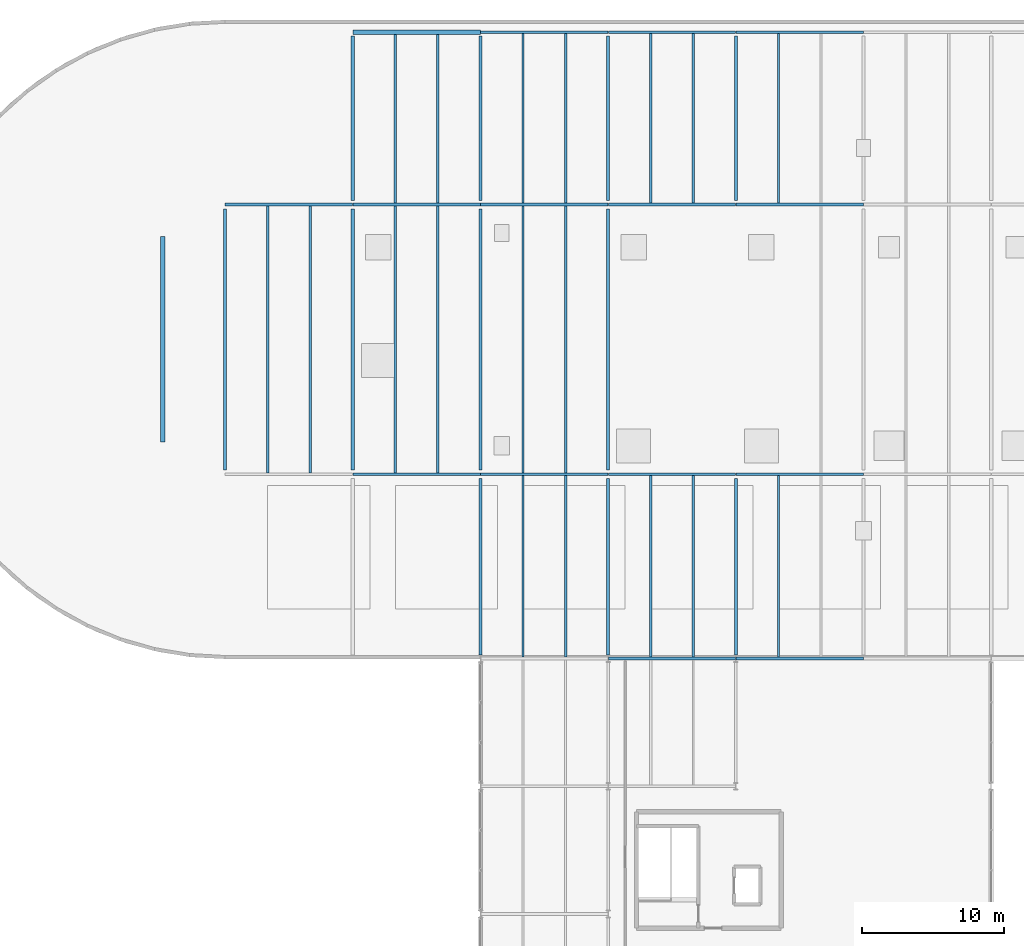
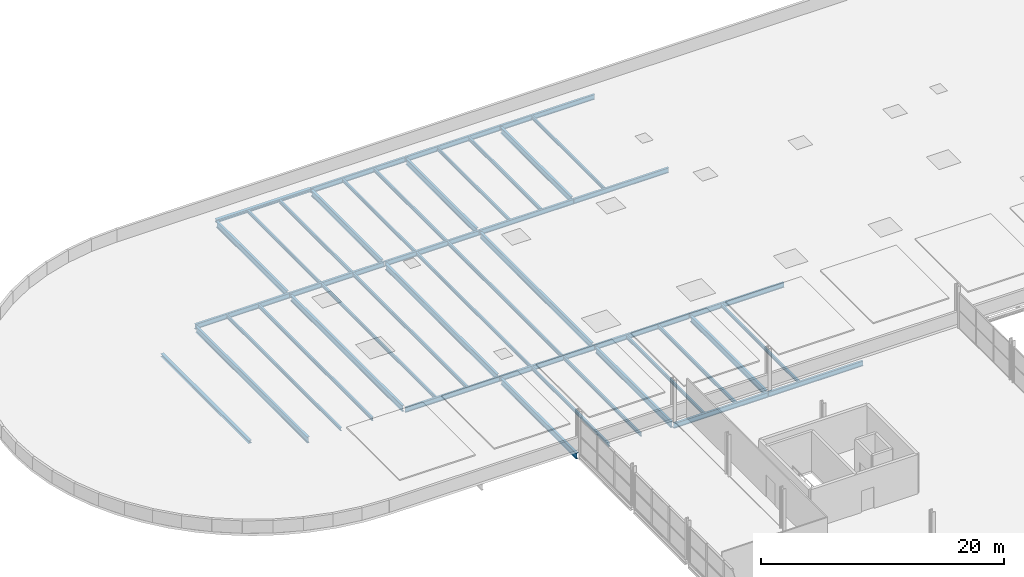
# One storey, part 22 of 59: 45 beams.
"""IFC4 building model written with IfcOpenShell, lengths in metres."""

from ifc_helpers import new_model, si_unit, direction, frame, origin, origin_2d, place, context, subcontext, project, spatial, i_section, extrude, material, material_profile, profile_set, type_object, element, save


model = new_model("IFC4")

# Units and contexts
model_context = context("Model", 3, precision=1e-05, world=origin(), true_north=direction((0.0, 1.0)))
body_context = subcontext(model_context, "Body", "Model", "MODEL_VIEW")
ifc_project = project(units=[si_unit("LENGTHUNIT", "METRE"), si_unit("AREAUNIT", "SQUARE_METRE"), si_unit("VOLUMEUNIT", "CUBIC_METRE"), si_unit("PLANEANGLEUNIT", "RADIAN"), si_unit("MASSUNIT", "GRAM", prefix="KILO")], contexts=[model_context])

# Site, building, storey
site_placement = place(None, origin())
site = spatial("IfcSite", under=ifc_project, at=site_placement, CompositionType="ELEMENT")
building_placement = place(site_placement, origin())
building = spatial("IfcBuilding", under=site, at=building_placement, Name="Deido Ridge Mobility Hub", CompositionType="ELEMENT")
storey_placement = place(building_placement, frame((0.0, 0.0, 21.0)))
storey = spatial("IfcBuildingStorey", under=building, at=storey_placement, Name="L05", CompositionType="ELEMENT", Elevation=21.0)

# Beams
ifc_material = material(Name="Steel S355J2 EN 10025-2", Category="steel")
ifc_material_profile_1 = material_profile(ifc_material, i_section(OverallWidth=0.199951171875, OverallDepth=0.5, WebThickness=0.01025390625, FlangeThickness=0.01611328125, FilletRadius=0.02099609375, at=origin_2d()), Name="IPE 500")
ifc_profile_set_1 = profile_set([ifc_material_profile_1], Name="Steel S355J2 EN 10025-2")
beam_type_1 = type_object("IfcBeamType", Name="BM-IPE500", PredefinedType="BEAM", material=ifc_profile_set_1)
for number, where, z_axis, x_axis, name in (
    (1, (72.007080078125, 81.0, -0.4951171875), (1.0, 0.0, 0.0), (0.0, 1.0, 0.0), "Floor beam B3"),
    (2, (81.007080078125, 81.0, -0.4951171875), (1.0, 0.0, 0.0), (0.0, 1.0, 0.0), "Floor beam B3"),
):
    element("IfcBeam", number, at=place(storey_placement, frame(where, z_axis=z_axis, x_axis=x_axis)), inside=storey, type_object=beam_type_1, Name=name, PredefinedType="BEAM", context=body_context, shape_type="SweptSolid", body=[
        extrude(i_section(OverallWidth=0.199951171875, OverallDepth=0.5, WebThickness=0.01025390625, FlangeThickness=0.01611328125, FilletRadius=0.02099609375, at=origin_2d()), origin(), (0.0, 0.0, 1.0), 8.98583984375),
    ])
for number, where, z_axis, x_axis, name in (
    (3, (54.0078125, 94.0, -0.4951171875), (1.0, 0.0, 0.0), (0.0, 1.0, 0.0), "Floor beam B3"),
    (4, (63.0078125, 94.0, -0.4951171875), (1.0, 0.0, 0.0), (0.0, 1.0, 0.0), "Floor beam B3"),
    (5, (72.0078125, 94.0, -0.4951171875), (1.0, 0.0, 0.0), (0.0, 1.0, 0.0), "Floor beam B3"),
    (6, (81.0078125, 94.0, -0.4951171875), (1.0, 0.0, 0.0), (0.0, 1.0, 0.0), "Floor beam B3"),
    (7, (45.0078125, 113.0, -0.4951171875), (1.0, 0.0, 0.0), (0.0, 1.0, 0.0), "Floor beam B3"),
    (8, (54.0078125, 113.0, -0.4951171875), (1.0, 0.0, 0.0), (0.0, 1.0, 0.0), "Floor beam B3"),
    (9, (63.0078125, 113.0, -0.4951171875), (1.0, 0.0, 0.0), (0.0, 1.0, 0.0), "Floor beam B3"),
    (10, (72.0078125, 113.0, -0.4951171875), (1.0, 0.0, 0.0), (0.0, 1.0, 0.0), "Floor beam B3"),
    (11, (81.0078125, 113.0, -0.4951171875), (1.0, 0.0, 0.0), (0.0, 1.0, 0.0), "Floor beam B3"),
):
    element("IfcBeam", number, at=place(storey_placement, frame(where, z_axis=z_axis, x_axis=x_axis)), inside=storey, type_object=beam_type_1, Name=name, PredefinedType="BEAM", context=body_context, shape_type="SweptSolid", body=[
        extrude(i_section(OverallWidth=0.199951171875, OverallDepth=0.5, WebThickness=0.01025390625, FlangeThickness=0.01611328125, FilletRadius=0.02099609375, at=origin_2d()), origin(), (0.0, 0.0, 1.0), 8.984375),
    ])
for number, where, z_axis, x_axis, name in (
    (12, (63.007080078125, 125.14990234375, -0.4951171875), (1.0, 0.0, 0.0), (0.0, 1.0, 0.0), "Floor beam B3"),
    (13, (72.007080078125, 125.14990234375, -0.4951171875), (1.0, 0.0, 0.0), (0.0, 1.0, 0.0), "Floor beam B3"),
    (14, (81.007080078125, 125.14990234375, -0.4951171875), (1.0, 0.0, 0.0), (0.0, 1.0, 0.0), "Floor beam B3"),
):
    element("IfcBeam", number, at=place(storey_placement, frame(where, z_axis=z_axis, x_axis=x_axis)), inside=storey, type_object=beam_type_1, Name=name, PredefinedType="BEAM", context=body_context, shape_type="SweptSolid", body=[
        extrude(i_section(OverallWidth=0.199951171875, OverallDepth=0.5, WebThickness=0.01025390625, FlangeThickness=0.01611328125, FilletRadius=0.02099609375, at=origin_2d()), origin(), (0.0, 0.0, 1.0), 8.98583984375),
    ])
ifc_material_profile_2 = material_profile(ifc_material, i_section(OverallWidth=0.219970703125, OverallDepth=0.60009765625, WebThickness=0.011962890625, FlangeThickness=0.01904296875, FilletRadius=0.02392578125, at=origin_2d()), Name="IPE 600")
ifc_profile_set_2 = profile_set([ifc_material_profile_2], Name="Steel S355J2 EN 10025-2")
beam_type_2 = type_object("IfcBeamType", Name="BM-IPE600", PredefinedType="BEAM", material=ifc_profile_set_2)
for number, where, z_axis, x_axis, name in (
    (15, (45.0, 94.300048828125, -0.544921875), (0.0, 1.0, 0.0), (-1.0, 0.0, 0.0), "Floor beam B1"),
    (16, (54.0, 94.300048828125, -0.544921875), (0.0, 1.0, 0.0), (-1.0, 0.0, 0.0), "Floor beam B1"),
):
    element("IfcBeam", number, at=place(storey_placement, frame(where, z_axis=z_axis, x_axis=x_axis)), inside=storey, type_object=beam_type_2, Name=name, PredefinedType="BEAM", context=body_context, shape_type="SweptSolid", body=[
        extrude(i_section(OverallWidth=0.219970703125, OverallDepth=0.60009765625, WebThickness=0.011962890625, FlangeThickness=0.01904296875, FilletRadius=0.02392578125, at=origin_2d()), origin(), (0.0, 0.0, 1.0), 18.39990234375),
    ])
beam_1_placement = place(storey_placement, frame((54.0, 113.300048828125, -0.544921875), z_axis=(0.0, 1.0, 0.0), x_axis=(-1.0, 0.0, 0.0)))
element("IfcBeam", 17, at=beam_1_placement, inside=storey, type_object=beam_type_2, Name="Floor beam B1", PredefinedType="BEAM", context=body_context, shape_type="SweptSolid", body=[
    extrude(i_section(OverallWidth=0.219970703125, OverallDepth=0.60009765625, WebThickness=0.011962890625, FlangeThickness=0.01904296875, FilletRadius=0.02392578125, at=origin_2d()), origin(), (0.0, 0.0, 1.0), 11.599853515625),
])
beam_2_placement = place(storey_placement, frame((63.0, 81.25, -0.544921875), z_axis=(0.0, 1.0, 0.0), x_axis=(-1.0, 0.0, 0.0)))
element("IfcBeam", 18, at=beam_2_placement, inside=storey, type_object=beam_type_2, Name="Floor beam B1", PredefinedType="BEAM", context=body_context, shape_type="SweptSolid", body=[
    extrude(i_section(OverallWidth=0.219970703125, OverallDepth=0.60009765625, WebThickness=0.011962890625, FlangeThickness=0.01904296875, FilletRadius=0.02392578125, at=origin_2d()), origin(), (0.0, 0.0, 1.0), 12.449951171875),
])
beam_3_placement = place(storey_placement, frame((63.0, 94.300048828125, -0.544921875), z_axis=(0.0, 1.0, 0.0), x_axis=(-1.0, 0.0, 0.0)))
element("IfcBeam", 19, at=beam_3_placement, inside=storey, type_object=beam_type_2, Name="Floor beam B1", PredefinedType="BEAM", context=body_context, shape_type="SweptSolid", body=[
    extrude(i_section(OverallWidth=0.219970703125, OverallDepth=0.60009765625, WebThickness=0.011962890625, FlangeThickness=0.01904296875, FilletRadius=0.02392578125, at=origin_2d()), origin(), (0.0, 0.0, 1.0), 18.39990234375),
])
beam_4_placement = place(storey_placement, frame((63.0, 113.300048828125, -0.544921875), z_axis=(0.0, 1.0, 0.0), x_axis=(-1.0, 0.0, 0.0)))
element("IfcBeam", 20, at=beam_4_placement, inside=storey, type_object=beam_type_2, Name="Floor beam B1", PredefinedType="BEAM", context=body_context, shape_type="SweptSolid", body=[
    extrude(i_section(OverallWidth=0.219970703125, OverallDepth=0.60009765625, WebThickness=0.011962890625, FlangeThickness=0.01904296875, FilletRadius=0.02392578125, at=origin_2d()), origin(), (0.0, 0.0, 1.0), 11.599853515625),
])
beam_5_placement = place(storey_placement, frame((72.0, 81.25, -0.544921875), z_axis=(0.0, 1.0, 0.0), x_axis=(-1.0, 0.0, 0.0)))
element("IfcBeam", 21, at=beam_5_placement, inside=storey, type_object=beam_type_2, Name="Floor beam B1", PredefinedType="BEAM", context=body_context, shape_type="SweptSolid", body=[
    extrude(i_section(OverallWidth=0.219970703125, OverallDepth=0.60009765625, WebThickness=0.011962890625, FlangeThickness=0.01904296875, FilletRadius=0.02392578125, at=origin_2d()), origin(), (0.0, 0.0, 1.0), 12.449951171875),
])
beam_6_placement = place(storey_placement, frame((72.0, 94.300048828125, -0.544921875), z_axis=(0.0, 1.0, 0.0), x_axis=(-1.0, 0.0, 0.0)))
element("IfcBeam", 22, at=beam_6_placement, inside=storey, type_object=beam_type_2, Name="Floor beam B1", PredefinedType="BEAM", context=body_context, shape_type="SweptSolid", body=[
    extrude(i_section(OverallWidth=0.219970703125, OverallDepth=0.60009765625, WebThickness=0.011962890625, FlangeThickness=0.01904296875, FilletRadius=0.02392578125, at=origin_2d()), origin(), (0.0, 0.0, 1.0), 18.39990234375),
])
beam_7_placement = place(storey_placement, frame((72.0, 113.300048828125, -0.544921875), z_axis=(0.0, 1.0, 0.0), x_axis=(-1.0, 0.0, 0.0)))
element("IfcBeam", 23, at=beam_7_placement, inside=storey, type_object=beam_type_2, Name="Floor beam B1", PredefinedType="BEAM", context=body_context, shape_type="SweptSolid", body=[
    extrude(i_section(OverallWidth=0.219970703125, OverallDepth=0.60009765625, WebThickness=0.011962890625, FlangeThickness=0.01904296875, FilletRadius=0.02392578125, at=origin_2d()), origin(), (0.0, 0.0, 1.0), 11.599853515625),
])
beam_8_placement = place(storey_placement, frame((81.0, 81.25, -0.544921875), z_axis=(0.0, 1.0, 0.0), x_axis=(-1.0, 0.0, 0.0)))
element("IfcBeam", 24, at=beam_8_placement, inside=storey, type_object=beam_type_2, Name="Floor beam B1", PredefinedType="BEAM", context=body_context, shape_type="SweptSolid", body=[
    extrude(i_section(OverallWidth=0.219970703125, OverallDepth=0.60009765625, WebThickness=0.011962890625, FlangeThickness=0.01904296875, FilletRadius=0.02392578125, at=origin_2d()), origin(), (0.0, 0.0, 1.0), 12.449951171875),
])
beam_9_placement = place(storey_placement, frame((81.0, 113.300048828125, -0.544921875), z_axis=(0.0, 1.0, 0.0), x_axis=(-1.0, 0.0, 0.0)))
element("IfcBeam", 25, at=beam_9_placement, inside=storey, type_object=beam_type_2, Name="Floor beam B1", PredefinedType="BEAM", context=body_context, shape_type="SweptSolid", body=[
    extrude(i_section(OverallWidth=0.219970703125, OverallDepth=0.60009765625, WebThickness=0.011962890625, FlangeThickness=0.01904296875, FilletRadius=0.02392578125, at=origin_2d()), origin(), (0.0, 0.0, 1.0), 11.599853515625),
])
ifc_material_profile_3 = material_profile(ifc_material, i_section(OverallWidth=0.159912109375, OverallDepth=0.330078125, WebThickness=0.007568359375, FlangeThickness=0.011474609375, FilletRadius=0.01806640625, at=origin_2d()), Name="IPE 330")
ifc_profile_set_3 = profile_set([ifc_material_profile_3], Name="Steel S355J2 EN 10025-2")
beam_type_3 = type_object("IfcBeamType", Name="JST-IPE330", PredefinedType="JOIST", material=ifc_profile_set_3)
for number, where, z_axis, x_axis, name in (
    (26, (66.0, 81.10009765625, -0.409912109375), (0.0, 1.0, 0.0), (-1.0, 0.0, 0.0), "Composite joist J2"),
    (27, (75.0, 81.10009765625, -0.409912109375), (0.0, 1.0, 0.0), (-1.0, 0.0, 0.0), "Composite joist J2"),
    (28, (84.0, 81.10009765625, -0.409912109375), (0.0, 1.0, 0.0), (-1.0, 0.0, 0.0), "Composite joist J2"),
):
    element("IfcBeam", number, at=place(storey_placement, frame(where, z_axis=z_axis, x_axis=x_axis)), inside=storey, type_object=beam_type_3, Name=name, PredefinedType="JOIST", context=body_context, shape_type="SweptSolid", body=[
        extrude(i_section(OverallWidth=0.159912109375, OverallDepth=0.330078125, WebThickness=0.007568359375, FlangeThickness=0.011474609375, FilletRadius=0.01806640625, at=origin_2d()), origin(), (0.0, 0.0, 1.0), 12.7998046875),
    ])
for number, where, z_axis, x_axis, name in (
    (29, (48.0, 94.10009765625, -0.409912109375), (0.0, 1.0, 0.0), (-1.0, 0.0, 0.0), "Composite joist J2"),
    (30, (57.0, 94.10009765625, -0.409912109375), (0.0, 1.0, 0.0), (-1.0, 0.0, 0.0), "Composite joist J2"),
    (31, (66.0, 94.10009765625, -0.409912109375), (0.0, 1.0, 0.0), (-1.0, 0.0, 0.0), "Composite joist J2"),
):
    element("IfcBeam", number, at=place(storey_placement, frame(where, z_axis=z_axis, x_axis=x_axis)), inside=storey, type_object=beam_type_3, Name=name, PredefinedType="JOIST", context=body_context, shape_type="SweptSolid", body=[
        extrude(i_section(OverallWidth=0.159912109375, OverallDepth=0.330078125, WebThickness=0.007568359375, FlangeThickness=0.011474609375, FilletRadius=0.01806640625, at=origin_2d()), origin(), (0.0, 0.0, 1.0), 18.7998046875),
    ])
beam_10_placement = place(storey_placement, frame((57.0, 113.10009765625, -0.409912109375), z_axis=(0.0, 1.0, 0.0), x_axis=(-1.0, 0.0, 0.0)))
element("IfcBeam", 32, at=beam_10_placement, inside=storey, type_object=beam_type_3, Name="Composite joist J2", PredefinedType="JOIST", context=body_context, shape_type="SweptSolid", body=[
    extrude(i_section(OverallWidth=0.159912109375, OverallDepth=0.330078125, WebThickness=0.007568359375, FlangeThickness=0.011474609375, FilletRadius=0.01806640625, at=origin_2d()), origin(), (0.0, 0.0, 1.0), 11.89990234375),
])
for number, where, z_axis, x_axis, name in (
    (33, (66.0, 113.10009765625, -0.409912109375), (0.0, 1.0, 0.0), (-1.0, 0.0, 0.0), "Composite joist J2"),
    (34, (75.0, 113.10009765625, -0.409912109375), (0.0, 1.0, 0.0), (-1.0, 0.0, 0.0), "Composite joist J2"),
    (35, (84.0, 113.10009765625, -0.409912109375), (0.0, 1.0, 0.0), (-1.0, 0.0, 0.0), "Composite joist J2"),
):
    element("IfcBeam", number, at=place(storey_placement, frame(where, z_axis=z_axis, x_axis=x_axis)), inside=storey, type_object=beam_type_3, Name=name, PredefinedType="JOIST", context=body_context, shape_type="SweptSolid", body=[
        extrude(i_section(OverallWidth=0.159912109375, OverallDepth=0.330078125, WebThickness=0.007568359375, FlangeThickness=0.011474609375, FilletRadius=0.01806640625, at=origin_2d()), origin(), (0.0, 0.0, 1.0), 11.949951171875),
    ])
ifc_material_profile_4 = material_profile(ifc_material, i_section(OverallWidth=0.169921875, OverallDepth=0.360107421875, WebThickness=0.008056640625, FlangeThickness=0.0126953125, FilletRadius=0.01806640625, at=origin_2d()), Name="IPE 360")
ifc_profile_set_4 = profile_set([ifc_material_profile_4], Name="Steel S355J2 EN 10025-2")
beam_type_4 = type_object("IfcBeamType", Name="JST-IPE360", PredefinedType="JOIST", material=ifc_profile_set_4)
for number, where, z_axis, x_axis, name in (
    (36, (69.0, 81.10009765625, -0.425048828125), (0.0, 1.0, 0.0), (-1.0, 0.0, 0.0), "Composite joist J1"),
    (37, (78.0, 81.10009765625, -0.425048828125), (0.0, 1.0, 0.0), (-1.0, 0.0, 0.0), "Composite joist J1"),
):
    element("IfcBeam", number, at=place(storey_placement, frame(where, z_axis=z_axis, x_axis=x_axis)), inside=storey, type_object=beam_type_4, Name=name, PredefinedType="JOIST", context=body_context, shape_type="SweptSolid", body=[
        extrude(i_section(OverallWidth=0.169921875, OverallDepth=0.360107421875, WebThickness=0.008056640625, FlangeThickness=0.0126953125, FilletRadius=0.01806640625, at=origin_2d()), origin(), (0.0, 0.0, 1.0), 12.7998046875),
    ])
for number, where, z_axis, x_axis, name in (
    (38, (51.0, 94.10009765625, -0.425048828125), (0.0, 1.0, 0.0), (-1.0, 0.0, 0.0), "Composite joist J1"),
    (39, (60.0, 94.10009765625, -0.425048828125), (0.0, 1.0, 0.0), (-1.0, 0.0, 0.0), "Composite joist J1"),
    (40, (69.0, 94.10009765625, -0.425048828125), (0.0, 1.0, 0.0), (-1.0, 0.0, 0.0), "Composite joist J1"),
):
    element("IfcBeam", number, at=place(storey_placement, frame(where, z_axis=z_axis, x_axis=x_axis)), inside=storey, type_object=beam_type_4, Name=name, PredefinedType="JOIST", context=body_context, shape_type="SweptSolid", body=[
        extrude(i_section(OverallWidth=0.169921875, OverallDepth=0.360107421875, WebThickness=0.008056640625, FlangeThickness=0.0126953125, FilletRadius=0.01806640625, at=origin_2d()), origin(), (0.0, 0.0, 1.0), 18.7998046875),
    ])
beam_11_placement = place(storey_placement, frame((60.0, 113.10009765625, -0.425048828125), z_axis=(0.0, 1.0, 0.0), x_axis=(-1.0, 0.0, 0.0)))
element("IfcBeam", 41, at=beam_11_placement, inside=storey, type_object=beam_type_4, Name="Composite joist J1", PredefinedType="JOIST", context=body_context, shape_type="SweptSolid", body=[
    extrude(i_section(OverallWidth=0.169921875, OverallDepth=0.360107421875, WebThickness=0.008056640625, FlangeThickness=0.0126953125, FilletRadius=0.01806640625, at=origin_2d()), origin(), (0.0, 0.0, 1.0), 11.89990234375),
])
for number, where, z_axis, x_axis, name in (
    (42, (69.0, 113.10009765625, -0.425048828125), (0.0, 1.0, 0.0), (-1.0, 0.0, 0.0), "Composite joist J1"),
    (43, (78.0, 113.10009765625, -0.425048828125), (0.0, 1.0, 0.0), (-1.0, 0.0, 0.0), "Composite joist J1"),
):
    element("IfcBeam", number, at=place(storey_placement, frame(where, z_axis=z_axis, x_axis=x_axis)), inside=storey, type_object=beam_type_4, Name=name, PredefinedType="JOIST", context=body_context, shape_type="SweptSolid", body=[
        extrude(i_section(OverallWidth=0.169921875, OverallDepth=0.360107421875, WebThickness=0.008056640625, FlangeThickness=0.0126953125, FilletRadius=0.01806640625, at=origin_2d()), origin(), (0.0, 0.0, 1.0), 11.949951171875),
    ])
ifc_material_profile_5 = material_profile(ifc_material, i_section(OverallWidth=0.300048828125, OverallDepth=0.300048828125, WebThickness=0.010986328125, FlangeThickness=0.01904296875, FilletRadius=0.027099609375, at=origin_2d()), Name="HEB 300")
ifc_profile_set_5 = profile_set([ifc_material_profile_5], Name="Steel S355J2 EN 10025-2")
beam_type_5 = type_object("IfcBeamType", Name="SPD-HEB300", PredefinedType="SPANDREL", material=ifc_profile_set_5)
beam_12_placement = place(storey_placement, frame((54.007080078125, 125.14990234375, -0.39501953125), z_axis=(1.0, 0.0, 0.0), x_axis=(0.0, 1.0, 0.0)))
element("IfcBeam", 44, at=beam_12_placement, inside=storey, type_object=beam_type_5, Name="Floor beam SP1", PredefinedType="SPANDREL", context=body_context, shape_type="SweptSolid", body=[
    extrude(i_section(OverallWidth=0.300048828125, OverallDepth=0.300048828125, WebThickness=0.010986328125, FlangeThickness=0.01904296875, FilletRadius=0.027099609375, at=origin_2d()), origin(), (0.0, 0.0, 1.0), 8.98583984375),
])
beam_13_placement = place(storey_placement, frame((40.60009765625, 96.2548828125, -0.39501953125), z_axis=(0.0, 1.0, 0.0), x_axis=(-1.0, 0.0, 0.0)))
element("IfcBeam", 45, at=beam_13_placement, inside=storey, type_object=beam_type_5, Name="Floor beam SP1", PredefinedType="SPANDREL", context=body_context, shape_type="SweptSolid", body=[
    extrude(i_section(OverallWidth=0.300048828125, OverallDepth=0.300048828125, WebThickness=0.010986328125, FlangeThickness=0.01904296875, FilletRadius=0.027099609375, at=origin_2d()), origin(), (0.0, 0.0, 1.0), 14.490234375),
])

save(model, "model.ifc")
